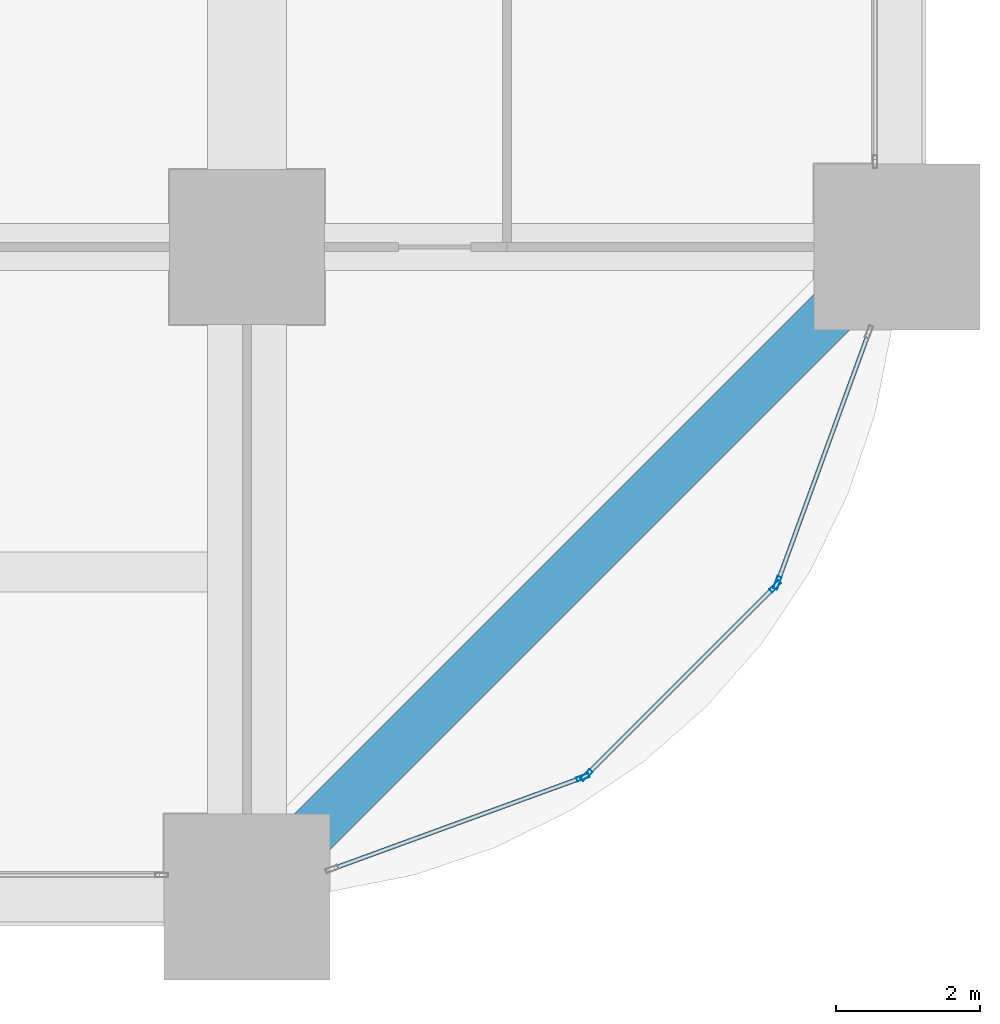
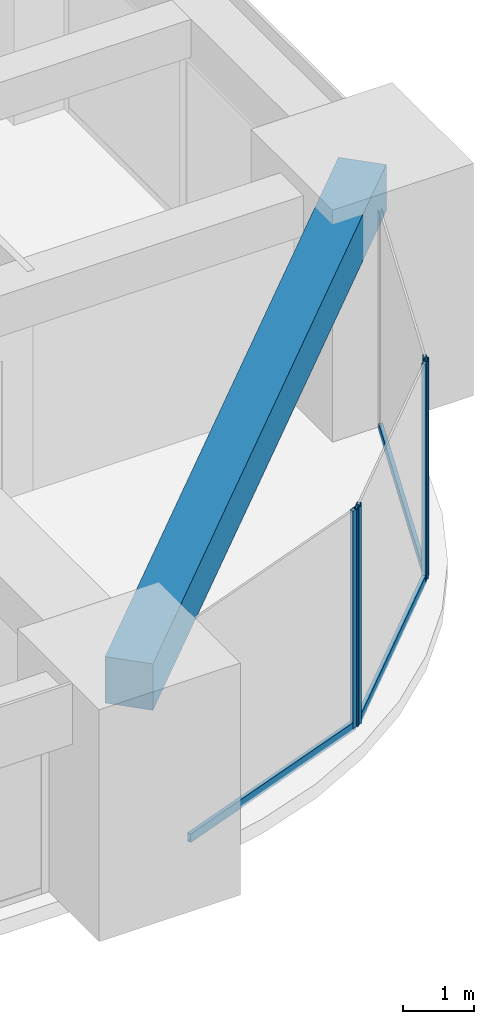
# One storey, part 16 of 44: 7 members, 1 beam, 3 elements without a shape of their own.
"""IFC4 building model written with IfcOpenShell, lengths in metres."""

from ifc_helpers import new_model, si_unit, direction, frame, origin, origin_2d, place, context, subcontext, project, spatial, rectangle, hollow_rectangle, extrude, material, material_profile, profile_set, type_object, element, aggregate, save


model = new_model("IFC4")

# Units and contexts
model_context = context("Model", 3, precision=1e-05, world=origin(), true_north=direction((0.0, 1.0)))
body_context = subcontext(model_context, "Body", "Model", "MODEL_VIEW")
ifc_project = project(units=[si_unit("LENGTHUNIT", "METRE"), si_unit("AREAUNIT", "SQUARE_METRE"), si_unit("VOLUMEUNIT", "CUBIC_METRE"), si_unit("PLANEANGLEUNIT", "RADIAN"), si_unit("MASSUNIT", "GRAM", prefix="KILO")], contexts=[model_context])

# Site, building, storey
site_placement = place(None, origin())
site = spatial("IfcSite", under=ifc_project, at=site_placement, CompositionType="ELEMENT")
building_placement = place(site_placement, origin())
building = spatial("IfcBuilding", under=site, at=building_placement, Name="Zorevar Civic Tower", CompositionType="ELEMENT")
storey_placement = place(building_placement, frame((0.0, 0.0, 51.800048828125)))
storey = spatial("IfcBuildingStorey", under=building, at=storey_placement, Name="L12", CompositionType="ELEMENT", Elevation=51.800048828125)

# Curtain wall, member
ifc_material_1 = material(Name="Dark grey solar-control glass in black aluminium frame", Category="aluminium")
curtain_wall_type = type_object("IfcCurtainWallType", Name="Curtain wall CW2 low zone", PredefinedType="NOTDEFINED", material=ifc_material_1)
curtain_wall_1_placement = place(storey_placement, origin())
curtain_wall_1 = element("IfcCurtainWall", 1, at=curtain_wall_1_placement, inside=storey, type_object=curtain_wall_type, Name="CW2 L12", PredefinedType="NOTDEFINED")
ifc_material_2 = material(Name="Aluminium, black anodised", Category="aluminium")
ifc_material_profile_1 = material_profile(ifc_material_2, hollow_rectangle(XDim=0.06005859375, YDim=0.179931640625, WallThickness=0.00390625, at=origin_2d()), Name="AL 180x60x4")
ifc_profile_set_1 = profile_set([ifc_material_profile_1], Name="Aluminium, black anodised")
member_type_1 = type_object("IfcMemberType", Name="CW2 mullion AL 180x60x4", PredefinedType="MULLION", material=ifc_profile_set_1)
member_1_placement = place(storey_placement, frame((58.650390625, 1.65478515625, 0.0), z_axis=(0.0, 0.0, 1.0), x_axis=(-0.343060400701, 0.939313345732, 0.0)))
member_1 = element("IfcMember", 2, at=member_1_placement, type_object=member_type_1, Name="CW2 mullion 2", PredefinedType="MULLION", context=body_context, shape_type="SweptSolid", body=[
    extrude(hollow_rectangle(XDim=0.06005859375, YDim=0.179931640625, WallThickness=0.00390625, at=origin_2d()), origin(), (0.0, 0.0, 1.0), 3.75),
])

# Curtain wall, members
curtain_wall_2_placement = place(storey_placement, origin())
curtain_wall_2 = element("IfcCurtainWall", 3, at=curtain_wall_2_placement, inside=storey, type_object=curtain_wall_type, Name="CW2 L12", PredefinedType="NOTDEFINED")
member_2_placement = place(storey_placement, frame((58.69970703125, 1.686279296875, 0.0), z_axis=(0.0, 0.0, 1.0), x_axis=(-0.707106781187, 0.707106781187, 0.0)))
member_2 = element("IfcMember", 4, at=member_2_placement, type_object=member_type_1, Name="CW2 mullion 1", PredefinedType="MULLION", context=body_context, shape_type="SweptSolid", body=[
    extrude(hollow_rectangle(XDim=0.06005859375, YDim=0.179931640625, WallThickness=0.00390625, at=origin_2d()), origin(), (0.0, 0.0, 1.0), 3.75),
])
member_3_placement = place(storey_placement, frame((61.313720703125, 4.30029296875, 0.0), z_axis=(0.0, 0.0, 1.0), x_axis=(-0.707106781187, 0.707106781187, 0.0)))
member_3 = element("IfcMember", 5, at=member_3_placement, type_object=member_type_1, Name="CW2 mullion 2", PredefinedType="MULLION", context=body_context, shape_type="SweptSolid", body=[
    extrude(hollow_rectangle(XDim=0.06005859375, YDim=0.179931640625, WallThickness=0.00390625, at=origin_2d()), origin(), (0.0, 0.0, 1.0), 3.75),
])

# Curtain wall, member
curtain_wall_3_placement = place(storey_placement, origin())
curtain_wall_3 = element("IfcCurtainWall", 6, at=curtain_wall_3_placement, inside=storey, type_object=curtain_wall_type, Name="CW2 L12", PredefinedType="NOTDEFINED")
member_4_placement = place(storey_placement, frame((61.34521484375, 4.349609375, 0.0), z_axis=(0.0, 0.0, 1.0), x_axis=(-0.939313345732, 0.343060400701, 0.0)))
member_4 = element("IfcMember", 7, at=member_4_placement, type_object=member_type_1, Name="CW2 mullion 1", PredefinedType="MULLION", context=body_context, shape_type="SweptSolid", body=[
    extrude(hollow_rectangle(XDim=0.06005859375, YDim=0.179931640625, WallThickness=0.00390625, at=origin_2d()), origin(), (0.0, 0.0, 1.0), 3.75),
])

# Member
ifc_material_3 = material(Name="Aluminium, black anodised", Category="aluminium")
ifc_material_profile_2 = material_profile(ifc_material_3, hollow_rectangle(XDim=0.06005859375, YDim=0.14990234375, WallThickness=0.00390625, at=origin_2d()), Name="AL 150x60x4")
ifc_profile_set_2 = profile_set([ifc_material_profile_2], Name="Aluminium, black anodised")
member_type_2 = type_object("IfcMemberType", Name="CW2 transom AL 150x60x4", PredefinedType="USERDEFINED", material=ifc_profile_set_2)
member_5_placement = place(storey_placement, frame((55.206298828125, 0.39697265625, 0.030029296875), z_axis=(0.939318180432, 0.343047162808, 0.0), x_axis=(-0.343047162808, 0.939318180432, 0.0)))
member_5 = element("IfcMember", 8, at=member_5_placement, type_object=member_type_2, Name="CW2 sill transom", ObjectType="TRANSOM", PredefinedType="USERDEFINED", context=body_context, shape_type="SweptSolid", body=[
    extrude(hollow_rectangle(XDim=0.06005859375, YDim=0.14990234375, WallThickness=0.00390625, at=origin_2d()), origin(), (0.0, 0.0, 1.0), 3.63671875),
])

aggregate(curtain_wall_1, [member_1, member_5])

member_6_placement = place(storey_placement, frame((58.720947265625, 1.70751953125, 0.030029296875), z_axis=(0.707106781187, 0.707106781187, 0.0), x_axis=(-0.707106781187, 0.707106781187, 0.0)))
member_6 = element("IfcMember", 9, at=member_6_placement, type_object=member_type_2, Name="CW2 sill transom", ObjectType="TRANSOM", PredefinedType="USERDEFINED", context=body_context, shape_type="SweptSolid", body=[
    extrude(hollow_rectangle(XDim=0.06005859375, YDim=0.14990234375, WallThickness=0.00390625, at=origin_2d()), origin(), (0.0, 0.0, 1.0), 3.63671875),
])

aggregate(curtain_wall_2, [member_2, member_3, member_6])

member_7_placement = place(storey_placement, frame((61.35546875, 4.377685546875, 0.030029296875), z_axis=(0.343047162808, 0.939318180432, 0.0), x_axis=(-0.939318180432, 0.343047162808, 0.0)))
member_7 = element("IfcMember", 10, at=member_7_placement, type_object=member_type_2, Name="CW2 sill transom", ObjectType="TRANSOM", PredefinedType="USERDEFINED", context=body_context, shape_type="SweptSolid", body=[
    extrude(hollow_rectangle(XDim=0.06005859375, YDim=0.14990234375, WallThickness=0.00390625, at=origin_2d()), origin(), (0.0, 0.0, 1.0), 3.63671875),
])

aggregate(curtain_wall_3, [member_4, member_7])

# Beam
ifc_material_4 = material(Name="Concrete C50/60", Category="concrete")
ifc_material_profile_3 = material_profile(ifc_material_4, rectangle(XDim=0.699951171875, YDim=0.800048828125, at=origin_2d()), Name="RC 700x800")
ifc_profile_set_3 = profile_set([ifc_material_profile_3], Name="Concrete C50/60")
beam_type = type_object("IfcBeamType", Name="Edge beam RC 700x800", PredefinedType="SPANDREL", material=ifc_profile_set_3)
beam_placement = place(storey_placement, frame((54.0, 0.0, 3.349853515625), z_axis=(0.707106781187, 0.707106781187, 0.0), x_axis=(-0.707106781187, 0.707106781187, 0.0)))
element("IfcBeam", 11, at=beam_placement, inside=storey, type_object=beam_type, Name="Corner edge beam L13", PredefinedType="SPANDREL", context=body_context, shape_type="SweptSolid", body=[
    extrude(rectangle(XDim=0.699951171875, YDim=0.800048828125, at=origin_2d()), origin(), (0.0, 0.0, 1.0), 12.72802734375),
])

save(model, "model.ifc")
